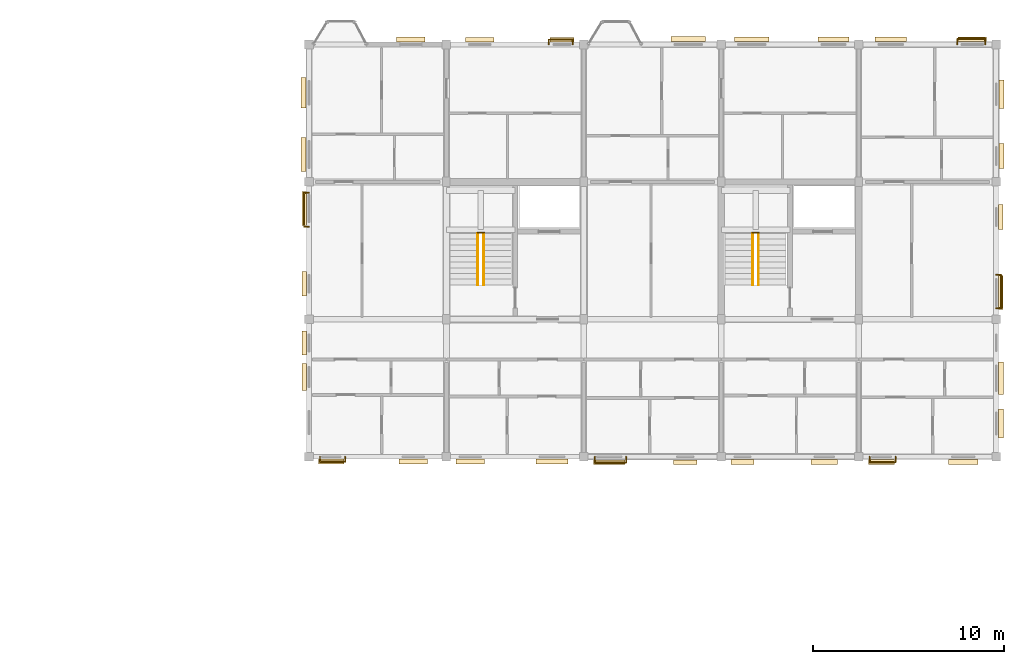
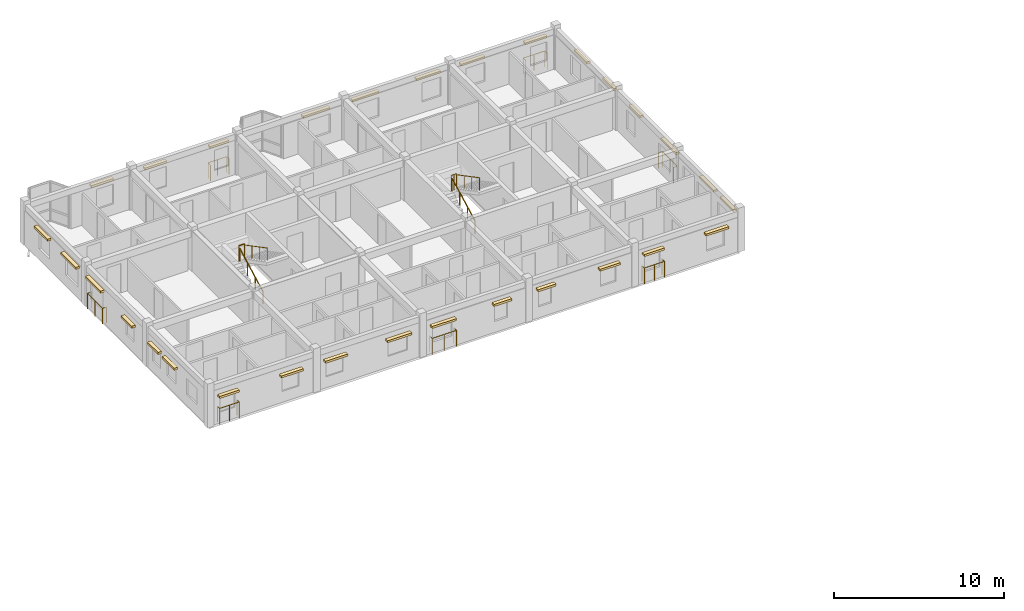
# One storey, part 28 of 28: 30 coverings, 13 railings.
"""IFC4 building model written with IfcOpenShell, lengths in metres."""

from ifc_helpers import new_model, si_unit, direction, frame, origin, origin_2d, place, context, subcontext, project, spatial, rectangle, circle, extrude, material, layer, layer_set, type_object, element, save


model = new_model("IFC4")

# Units and contexts
model_context = context("Model", 3, precision=1e-05, world=origin(), true_north=direction((0.0, 1.0)))
body_context = subcontext(model_context, "Body", "Model", "MODEL_VIEW")
ifc_project = project(units=[si_unit("LENGTHUNIT", "METRE"), si_unit("AREAUNIT", "SQUARE_METRE"), si_unit("VOLUMEUNIT", "CUBIC_METRE"), si_unit("PLANEANGLEUNIT", "RADIAN"), si_unit("MASSUNIT", "GRAM", prefix="KILO"), si_unit("THERMODYNAMICTEMPERATUREUNIT", "KELVIN"), si_unit("POWERUNIT", "WATT")], contexts=[model_context])

# Site, building, storey
site_placement = place(None, origin())
site = spatial("IfcSite", under=ifc_project, at=site_placement, CompositionType="ELEMENT")
building_placement = place(site_placement, origin())
building = spatial("IfcBuilding", under=site, at=building_placement, Name="Tavuni Mirador Residences", CompositionType="ELEMENT")
storey_placement = place(building_placement, frame((0.0, 0.0, 39.14990234375)))
storey = spatial("IfcBuildingStorey", under=building, at=storey_placement, Name="L12", CompositionType="ELEMENT", Elevation=39.14990234375)

# Coverings
ifc_material_1 = material(Name="Natural coral limestone", Category="masonry")
ifc_layer = layer(ifc_material_1, 0.054931640625, Name="Natural coral limestone", Category="masonry")
ifc_layer_set = layer_set([ifc_layer], Name="Natural coral limestone")
covering_type = type_object("IfcCoveringType", Name="CVT-CLAD-CORAL", PredefinedType="CLADDING", material=ifc_layer_set)
covering_1_placement = place(storey_placement, frame((19.175048828125, 150.950439453125, 1.955078125), z_axis=(0.0, 0.0, 1.0), x_axis=(1.0, 0.0, 0.0)))
element("IfcCovering", 1, at=covering_1_placement, inside=storey, type_object=covering_type, Name="HOOD-0800", PredefinedType="CLADDING", context=body_context, shape_type="SweptSolid", body=[
    extrude(rectangle(XDim=1.340087890625, YDim=0.25, at=origin_2d()), origin(), (0.0, 0.0, 1.0), 0.14990234375),
])
for number, where, z_axis, x_axis, name in (
    (2, (23.455078125, 150.950439453125, 1.955078125), (0.0, 0.0, 1.0), (1.0, 0.0, 0.0), "HOOD-0801"),
    (3, (26.455078125, 150.95556640625, 1.955078125), (0.0, 0.0, 1.0), (1.0, 0.0, 0.0), "HOOD-0802"),
):
    element("IfcCovering", number, at=place(storey_placement, frame(where, z_axis=z_axis, x_axis=x_axis)), inside=storey, type_object=covering_type, Name=name, PredefinedType="CLADDING", context=body_context, shape_type="SweptSolid", body=[
        extrude(rectangle(XDim=1.5, YDim=0.25, at=origin_2d()), origin(), (0.0, 0.0, 1.0), 0.14990234375),
    ])
for number, where, z_axis, x_axis, name in (
    (4, (30.735107421875, 150.95556640625, 1.955078125), (0.0, 0.0, 1.0), (1.0, 0.0, 0.0), "HOOD-0803"),
    (5, (33.735107421875, 150.9130859375, 1.955078125), (0.0, 0.0, 1.0), (1.0, 0.0, 0.0), "HOOD-0804"),
):
    element("IfcCovering", number, at=place(storey_placement, frame(where, z_axis=z_axis, x_axis=x_axis)), inside=storey, type_object=covering_type, Name=name, PredefinedType="CLADDING", context=body_context, shape_type="SweptSolid", body=[
        extrude(rectangle(XDim=1.659912109375, YDim=0.25, at=origin_2d()), origin(), (0.0, 0.0, 1.0), 0.14990234375),
    ])
for number, where, z_axis, x_axis, name in (
    (6, (37.715087890625, 150.9130859375, 2.065185546875), (0.0, 0.0, 1.0), (1.0, 0.0, 0.0), "HOOD-0805"),
    (7, (40.715087890625, 150.92041015625, 2.065185546875), (0.0, 0.0, 1.0), (1.0, 0.0, 0.0), "HOOD-0806"),
):
    element("IfcCovering", number, at=place(storey_placement, frame(where, z_axis=z_axis, x_axis=x_axis)), inside=storey, type_object=covering_type, Name=name, PredefinedType="CLADDING", context=body_context, shape_type="SweptSolid", body=[
        extrude(rectangle(XDim=1.219970703125, YDim=0.25, at=origin_2d()), origin(), (0.0, 0.0, 1.0), 0.14990234375),
    ])
for number, where, z_axis, x_axis, name in (
    (8, (44.9951171875, 150.92041015625, 2.065185546875), (0.0, 0.0, 1.0), (1.0, 0.0, 0.0), "HOOD-0807"),
    (9, (47.9951171875, 150.925537109375, 2.065185546875), (0.0, 0.0, 1.0), (1.0, 0.0, 0.0), "HOOD-0808"),
):
    element("IfcCovering", number, at=place(storey_placement, frame(where, z_axis=z_axis, x_axis=x_axis)), inside=storey, type_object=covering_type, Name=name, PredefinedType="CLADDING", context=body_context, shape_type="SweptSolid", body=[
        extrude(rectangle(XDim=1.3798828125, YDim=0.25, at=origin_2d()), origin(), (0.0, 0.0, 1.0), 0.14990234375),
    ])
for number, where, z_axis, x_axis, name in (
    (10, (52.27490234375, 150.925537109375, 2.065185546875), (0.0, 0.0, 1.0), (1.0, 0.0, 0.0), "HOOD-0809"),
    (11, (54.24951171875, 152.9423828125, 2.065185546875), (0.0, 0.0, 1.0), (0.0, 1.0, 0.0), "HOOD-0810"),
):
    element("IfcCovering", number, at=place(storey_placement, frame(where, z_axis=z_axis, x_axis=x_axis)), inside=storey, type_object=covering_type, Name=name, PredefinedType="CLADDING", context=body_context, shape_type="SweptSolid", body=[
        extrude(rectangle(XDim=1.5400390625, YDim=0.25, at=origin_2d()), origin(), (0.0, 0.0, 1.0), 0.14990234375),
    ])
covering_2_placement = place(storey_placement, frame((54.24951171875, 155.31005859375, 2.065185546875), z_axis=(0.0, 0.0, 1.0), x_axis=(0.0, 1.0, 0.0)))
element("IfcCovering", 12, at=covering_2_placement, inside=storey, type_object=covering_type, Name="HOOD-0811", PredefinedType="CLADDING", context=body_context, shape_type="SweptSolid", body=[
    extrude(rectangle(XDim=1.699951171875, YDim=0.25, at=origin_2d()), origin(), (0.0, 0.0, 1.0), 0.14990234375),
])
covering_3_placement = place(storey_placement, frame((54.244384765625, 159.794921875, 2.065185546875), z_axis=(0.0, 0.0, 1.0), x_axis=(0.0, 1.0, 0.0)))
element("IfcCovering", 13, at=covering_3_placement, inside=storey, type_object=covering_type, Name="HOOD-0812", PredefinedType="CLADDING", context=body_context, shape_type="SweptSolid", body=[
    extrude(rectangle(XDim=1.780029296875, YDim=0.25, at=origin_2d()), origin(), (0.0, 0.0, 1.0), 0.14990234375),
])
for number, where, z_axis, x_axis, name in (
    (14, (54.244384765625, 163.764892578125, 2.1650390625), (0.0, 0.0, 1.0), (0.0, 1.0, 0.0), "HOOD-0813"),
    (15, (54.287109375, 166.952392578125, 2.1650390625), (0.0, 0.0, 1.0), (0.0, 1.0, 0.0), "HOOD-0814"),
):
    element("IfcCovering", number, at=place(storey_placement, frame(where, z_axis=z_axis, x_axis=x_axis)), inside=storey, type_object=covering_type, Name=name, PredefinedType="CLADDING", context=body_context, shape_type="SweptSolid", body=[
        extrude(rectangle(XDim=1.320068359375, YDim=0.25, at=origin_2d()), origin(), (0.0, 0.0, 1.0), 0.14990234375),
    ])
for number, where, z_axis, x_axis, name in (
    (16, (54.287109375, 170.1875, 2.1650390625), (0.0, 0.0, 1.0), (0.0, 1.0, 0.0), "HOOD-0815"),
    (17, (52.7548828125, 173.074462890625, 2.1650390625), (0.0, 0.0, 1.0), (-1.0, 0.0, 0.0), "HOOD-0816"),
):
    element("IfcCovering", number, at=place(storey_placement, frame(where, z_axis=z_axis, x_axis=x_axis)), inside=storey, type_object=covering_type, Name=name, PredefinedType="CLADDING", context=body_context, shape_type="SweptSolid", body=[
        extrude(rectangle(XDim=1.47998046875, YDim=0.25, at=origin_2d()), origin(), (0.0, 0.0, 1.0), 0.14990234375),
    ])
for number, where, z_axis, x_axis, name in (
    (18, (48.47509765625, 173.074462890625, 2.1650390625), (0.0, 0.0, 1.0), (-1.0, 0.0, 0.0), "HOOD-0817"),
    (19, (45.47509765625, 173.07958984375, 2.1650390625), (0.0, 0.0, 1.0), (-1.0, 0.0, 0.0), "HOOD-0818"),
):
    element("IfcCovering", number, at=place(storey_placement, frame(where, z_axis=z_axis, x_axis=x_axis)), inside=storey, type_object=covering_type, Name=name, PredefinedType="CLADDING", context=body_context, shape_type="SweptSolid", body=[
        extrude(rectangle(XDim=1.639892578125, YDim=0.25, at=origin_2d()), origin(), (0.0, 0.0, 1.0), 0.14990234375),
    ])
covering_4_placement = place(storey_placement, frame((41.195068359375, 173.07958984375, 2.1650390625), z_axis=(0.0, 0.0, 1.0), x_axis=(-1.0, 0.0, 0.0)))
element("IfcCovering", 20, at=covering_4_placement, inside=storey, type_object=covering_type, Name="HOOD-0819", PredefinedType="CLADDING", context=body_context, shape_type="SweptSolid", body=[
    extrude(rectangle(XDim=1.800048828125, YDim=0.25, at=origin_2d()), origin(), (0.0, 0.0, 1.0), 0.14990234375),
])
covering_5_placement = place(storey_placement, frame((37.87255859375, 173.092041015625, 2.16015625), z_axis=(0.0, 0.0, 1.0), x_axis=(-1.0, 0.0, 0.0)))
element("IfcCovering", 21, at=covering_5_placement, inside=storey, type_object=covering_type, Name="HOOD-0820", PredefinedType="CLADDING", context=body_context, shape_type="SweptSolid", body=[
    extrude(rectangle(XDim=1.820068359375, YDim=0.260009765625, at=origin_2d()), origin(), (0.0, 0.0, 1.0), 0.159912109375),
])
covering_6_placement = place(storey_placement, frame((31.2548828125, 173.04443359375, 2.2451171875), z_axis=(0.0, 0.0, 1.0), x_axis=(-1.0, 0.0, 0.0)))
element("IfcCovering", 22, at=covering_6_placement, inside=storey, type_object=covering_type, Name="HOOD-0821", PredefinedType="CLADDING", context=body_context, shape_type="SweptSolid", body=[
    extrude(rectangle(XDim=1.280029296875, YDim=0.25, at=origin_2d()), origin(), (0.0, 0.0, 1.0), 0.14990234375),
])
covering_7_placement = place(storey_placement, frame((26.949951171875, 173.04443359375, 2.2451171875), z_axis=(0.0, 0.0, 1.0), x_axis=(-1.0, 0.0, 0.0)))
element("IfcCovering", 23, at=covering_7_placement, inside=storey, type_object=covering_type, Name="HOOD-0822", PredefinedType="CLADDING", context=body_context, shape_type="SweptSolid", body=[
    extrude(rectangle(XDim=1.489990234375, YDim=0.25, at=origin_2d()), origin(), (0.0, 0.0, 1.0), 0.14990234375),
])
covering_8_placement = place(storey_placement, frame((23.33251953125, 173.054443359375, 2.240234375), z_axis=(0.0, 0.0, 1.0), x_axis=(-1.0, 0.0, 0.0)))
element("IfcCovering", 24, at=covering_8_placement, inside=storey, type_object=covering_type, Name="HOOD-0823", PredefinedType="CLADDING", context=body_context, shape_type="SweptSolid", body=[
    extrude(rectangle(XDim=1.510009765625, YDim=0.260009765625, at=origin_2d()), origin(), (0.0, 0.0, 1.0), 0.159912109375),
])
covering_9_placement = place(storey_placement, frame((17.712890625, 170.267578125, 2.2451171875), z_axis=(0.0, 0.0, 1.0), x_axis=(0.0, -1.0, 0.0)))
element("IfcCovering", 25, at=covering_9_placement, inside=storey, type_object=covering_type, Name="HOOD-0824", PredefinedType="CLADDING", context=body_context, shape_type="SweptSolid", body=[
    extrude(rectangle(XDim=1.590087890625, YDim=0.25, at=origin_2d()), origin(), (0.0, 0.0, 1.0), 0.14990234375),
])
for number, where, z_axis, x_axis, name in (
    (26, (17.712890625, 167.032470703125, 2.2451171875), (0.0, 0.0, 1.0), (0.0, -1.0, 0.0), "HOOD-0825"),
    (27, (17.755615234375, 164.199951171875, 2.2451171875), (0.0, 0.0, 1.0), (0.0, -1.0, 0.0), "HOOD-0826"),
):
    element("IfcCovering", number, at=place(storey_placement, frame(where, z_axis=z_axis, x_axis=x_axis)), inside=storey, type_object=covering_type, Name=name, PredefinedType="CLADDING", context=body_context, shape_type="SweptSolid", body=[
        extrude(rectangle(XDim=1.7900390625, YDim=0.25, at=origin_2d()), origin(), (0.0, 0.0, 1.0), 0.14990234375),
    ])
for number, where, z_axis, x_axis, name in (
    (28, (17.755615234375, 160.264892578125, 1.955078125), (0.0, 0.0, 1.0), (0.0, -1.0, 0.0), "HOOD-0827"),
    (29, (17.75048828125, 157.16748046875, 1.955078125), (0.0, 0.0, 1.0), (0.0, -1.0, 0.0), "HOOD-0828"),
):
    element("IfcCovering", number, at=place(storey_placement, frame(where, z_axis=z_axis, x_axis=x_axis)), inside=storey, type_object=covering_type, Name=name, PredefinedType="CLADDING", context=body_context, shape_type="SweptSolid", body=[
        extrude(rectangle(XDim=1.260009765625, YDim=0.25, at=origin_2d()), origin(), (0.0, 0.0, 1.0), 0.14990234375),
    ])
covering_10_placement = place(storey_placement, frame((17.75048828125, 155.3701171875, 1.955078125), z_axis=(0.0, 0.0, 1.0), x_axis=(0.0, -1.0, 0.0)))
element("IfcCovering", 30, at=covering_10_placement, inside=storey, type_object=covering_type, Name="HOOD-0829", PredefinedType="CLADDING", context=body_context, shape_type="SweptSolid", body=[
    extrude(rectangle(XDim=1.419921875, YDim=0.25, at=origin_2d()), origin(), (0.0, 0.0, 1.0), 0.14990234375),
])

# Railings
ifc_material_2 = material(Name="Structural steel S355", Category="steel")
railing_type_1 = type_object("IfcRailingType", Name="RT-BL1150", PredefinedType="BALUSTRADE", material=ifc_material_2)
railing_1_placement = place(storey_placement, frame((18.574951171875, 151.199951171875, 0.0400390625)))
element("IfcRailing", 31, at=railing_1_placement, inside=storey, type_object=railing_type_1, Name="BALC-BLK-C-L12-S00", PredefinedType="BALUSTRADE", context=body_context, shape_type="SweptSolid", body=[
    extrude(circle(Radius=0.02392578125, at=origin_2d()), frame((0.0, 0.0, 1.1259765625), z_axis=(0.0, -1.0, 0.0), x_axis=(1.0, 0.0, 0.0)), (0.0, 0.0, 1.0), 0.267333984375),
    extrude(circle(Radius=0.02392578125, at=origin_2d()), frame((0.0, -0.267333984375, 1.1259765625), z_axis=(1.0, 0.0, 0.0), x_axis=(0.0, 1.0, 0.0)), (0.0, 0.0, 1.0), 1.320068359375),
    extrude(circle(Radius=0.02392578125, at=origin_2d()), frame((1.320068359375, -0.267333984375, 1.1259765625), z_axis=(0.0, 1.0, 0.0), x_axis=(-1.0, 0.0, 0.0)), (0.0, 0.0, 1.0), 0.267333984375),
    extrude(circle(Radius=0.02099609375, at=origin_2d()), origin(), (0.0, 0.0, 1.0), 1.101806640625),
    extrude(circle(Radius=0.02099609375, at=origin_2d()), frame((0.0, -0.267333984375, 0.0)), (0.0, 0.0, 1.0), 1.101806640625),
    extrude(circle(Radius=0.02099609375, at=origin_2d()), frame((0.66015625, -0.267333984375, 0.0)), (0.0, 0.0, 1.0), 1.101806640625),
    extrude(circle(Radius=0.02099609375, at=origin_2d()), frame((1.320068359375, -0.267333984375, 0.0)), (0.0, 0.0, 1.0), 1.101806640625),
    extrude(circle(Radius=0.02099609375, at=origin_2d()), frame((1.320068359375, 0.0, 0.0)), (0.0, 0.0, 1.0), 1.101806640625),
])
railing_2_placement = place(storey_placement, frame((32.97509765625, 151.199951171875, 0.0400390625)))
element("IfcRailing", 32, at=railing_2_placement, inside=storey, type_object=railing_type_1, Name="BALC-BLK-C-L12-S02", PredefinedType="BALUSTRADE", context=body_context, shape_type="SweptSolid", body=[
    extrude(circle(Radius=0.02392578125, at=origin_2d()), frame((0.0, 0.0, 1.1259765625), z_axis=(0.0, -1.0, 0.0), x_axis=(1.0, 0.0, 0.0)), (0.0, 0.0, 1.0), 0.304931640625),
    extrude(circle(Radius=0.02392578125, at=origin_2d()), frame((0.0, -0.304931640625, 1.1259765625), z_axis=(1.0, 0.0, 0.0), x_axis=(0.0, 1.0, 0.0)), (0.0, 0.0, 1.0), 1.639892578125),
    extrude(circle(Radius=0.02392578125, at=origin_2d()), frame((1.639892578125, -0.304931640625, 1.1259765625), z_axis=(0.0, 1.0, 0.0), x_axis=(-1.0, 0.0, 0.0)), (0.0, 0.0, 1.0), 0.304931640625),
    extrude(circle(Radius=0.02099609375, at=origin_2d()), origin(), (0.0, 0.0, 1.0), 1.101806640625),
    extrude(circle(Radius=0.02099609375, at=origin_2d()), frame((0.0, -0.304931640625, 0.0)), (0.0, 0.0, 1.0), 1.101806640625),
    extrude(circle(Radius=0.02099609375, at=origin_2d()), frame((0.81982421875, -0.304931640625, 0.0)), (0.0, 0.0, 1.0), 1.101806640625),
    extrude(circle(Radius=0.02099609375, at=origin_2d()), frame((1.639892578125, -0.304931640625, 0.0)), (0.0, 0.0, 1.0), 1.101806640625),
    extrude(circle(Radius=0.02099609375, at=origin_2d()), frame((1.639892578125, 0.0, 0.0)), (0.0, 0.0, 1.0), 1.101806640625),
])
railing_3_placement = place(storey_placement, frame((47.375, 151.199951171875, 0.0400390625)))
element("IfcRailing", 33, at=railing_3_placement, inside=storey, type_object=railing_type_1, Name="BALC-BLK-C-L12-S04", PredefinedType="BALUSTRADE", context=body_context, shape_type="SweptSolid", body=[
    extrude(circle(Radius=0.02392578125, at=origin_2d()), frame((0.0, 0.0, 1.1259765625), z_axis=(0.0, -1.0, 0.0), x_axis=(1.0, 0.0, 0.0)), (0.0, 0.0, 1.0), 0.29248046875),
    extrude(circle(Radius=0.02392578125, at=origin_2d()), frame((0.0, -0.29248046875, 1.1259765625), z_axis=(1.0, 0.0, 0.0), x_axis=(0.0, 1.0, 0.0)), (0.0, 0.0, 1.0), 1.360107421875),
    extrude(circle(Radius=0.02392578125, at=origin_2d()), frame((1.360107421875, -0.29248046875, 1.1259765625), z_axis=(0.0, 1.0, 0.0), x_axis=(-1.0, 0.0, 0.0)), (0.0, 0.0, 1.0), 0.29248046875),
    extrude(circle(Radius=0.02099609375, at=origin_2d()), origin(), (0.0, 0.0, 1.0), 1.101806640625),
    extrude(circle(Radius=0.02099609375, at=origin_2d()), frame((0.0, -0.29248046875, 0.0)), (0.0, 0.0, 1.0), 1.101806640625),
    extrude(circle(Radius=0.02099609375, at=origin_2d()), frame((0.68017578125, -0.29248046875, 0.0)), (0.0, 0.0, 1.0), 1.101806640625),
    extrude(circle(Radius=0.02099609375, at=origin_2d()), frame((1.360107421875, -0.29248046875, 0.0)), (0.0, 0.0, 1.0), 1.101806640625),
    extrude(circle(Radius=0.02099609375, at=origin_2d()), frame((1.360107421875, 0.0, 0.0)), (0.0, 0.0, 1.0), 1.101806640625),
])
railing_4_placement = place(storey_placement, frame((54.0, 158.97509765625, 0.0400390625)))
element("IfcRailing", 34, at=railing_4_placement, inside=storey, type_object=railing_type_1, Name="BALC-BLK-C-L12-E01", PredefinedType="BALUSTRADE", context=body_context, shape_type="SweptSolid", body=[
    extrude(circle(Radius=0.02392578125, at=origin_2d()), frame((0.0, 0.0, 1.1259765625), z_axis=(1.0, 0.0, 0.0), x_axis=(0.0, 1.0, 0.0)), (0.0, 0.0, 1.0), 0.262451171875),
    extrude(circle(Radius=0.02392578125, at=origin_2d()), frame((0.262451171875, 0.0, 1.1259765625), z_axis=(0.0, 1.0, 0.0), x_axis=(-1.0, 0.0, 0.0)), (0.0, 0.0, 1.0), 1.760009765625),
    extrude(circle(Radius=0.02392578125, at=origin_2d()), frame((0.262451171875, 1.760009765625, 1.1259765625), z_axis=(-1.0, 0.0, 0.0), x_axis=(0.0, -1.0, 0.0)), (0.0, 0.0, 1.0), 0.262451171875),
    extrude(circle(Radius=0.02099609375, at=origin_2d()), origin(), (0.0, 0.0, 1.0), 1.101806640625),
    extrude(circle(Radius=0.02099609375, at=origin_2d()), frame((0.262451171875, 0.0, 0.0)), (0.0, 0.0, 1.0), 1.101806640625),
    extrude(circle(Radius=0.02099609375, at=origin_2d()), frame((0.262451171875, 0.8798828125, 0.0)), (0.0, 0.0, 1.0), 1.101806640625),
    extrude(circle(Radius=0.02099609375, at=origin_2d()), frame((0.262451171875, 1.760009765625, 0.0)), (0.0, 0.0, 1.0), 1.101806640625),
    extrude(circle(Radius=0.02099609375, at=origin_2d()), frame((0.0, 1.760009765625, 0.0)), (0.0, 0.0, 1.0), 1.101806640625),
])
railing_5_placement = place(storey_placement, frame((53.425048828125, 172.800048828125, 0.0400390625)))
element("IfcRailing", 35, at=railing_5_placement, inside=storey, type_object=railing_type_1, Name="BALC-BLK-C-L12-N04", PredefinedType="BALUSTRADE", context=body_context, shape_type="SweptSolid", body=[
    extrude(circle(Radius=0.02392578125, at=origin_2d()), frame((0.0, 0.0, 1.1259765625), z_axis=(0.0, 1.0, 0.0), x_axis=(-1.0, 0.0, 0.0)), (0.0, 0.0, 1.0), 0.29248046875),
    extrude(circle(Radius=0.02392578125, at=origin_2d()), frame((0.0, 0.29248046875, 1.1259765625), z_axis=(-1.0, 0.0, 0.0), x_axis=(0.0, -1.0, 0.0)), (0.0, 0.0, 1.0), 1.4599609375),
    extrude(circle(Radius=0.02392578125, at=origin_2d()), frame((-1.4599609375, 0.29248046875, 1.1259765625), z_axis=(0.0, -1.0, 0.0), x_axis=(1.0, 0.0, 0.0)), (0.0, 0.0, 1.0), 0.29248046875),
    extrude(circle(Radius=0.02099609375, at=origin_2d()), origin(), (0.0, 0.0, 1.0), 1.101806640625),
    extrude(circle(Radius=0.02099609375, at=origin_2d()), frame((0.0, 0.29248046875, 0.0)), (0.0, 0.0, 1.0), 1.101806640625),
    extrude(circle(Radius=0.02099609375, at=origin_2d()), frame((-0.72998046875, 0.29248046875, 0.0)), (0.0, 0.0, 1.0), 1.101806640625),
    extrude(circle(Radius=0.02099609375, at=origin_2d()), frame((-1.4599609375, 0.29248046875, 0.0)), (0.0, 0.0, 1.0), 1.101806640625),
    extrude(circle(Radius=0.02099609375, at=origin_2d()), frame((-1.4599609375, 0.0, 0.0)), (0.0, 0.0, 1.0), 1.101806640625),
])
railing_6_placement = place(storey_placement, frame((31.824951171875, 172.800048828125, 0.0400390625)))
element("IfcRailing", 36, at=railing_6_placement, inside=storey, type_object=railing_type_1, Name="BALC-BLK-C-L12-N01", PredefinedType="BALUSTRADE", context=body_context, shape_type="SweptSolid", body=[
    extrude(circle(Radius=0.02392578125, at=origin_2d()), frame((0.0, 0.0, 1.1259765625), z_axis=(0.0, 1.0, 0.0), x_axis=(-1.0, 0.0, 0.0)), (0.0, 0.0, 1.0), 0.262451171875),
    extrude(circle(Radius=0.02392578125, at=origin_2d()), frame((0.0, 0.262451171875, 1.1259765625), z_axis=(-1.0, 0.0, 0.0), x_axis=(0.0, -1.0, 0.0)), (0.0, 0.0, 1.0), 1.260009765625),
    extrude(circle(Radius=0.02392578125, at=origin_2d()), frame((-1.260009765625, 0.262451171875, 1.1259765625), z_axis=(0.0, -1.0, 0.0), x_axis=(1.0, 0.0, 0.0)), (0.0, 0.0, 1.0), 0.262451171875),
    extrude(circle(Radius=0.02099609375, at=origin_2d()), origin(), (0.0, 0.0, 1.0), 1.101806640625),
    extrude(circle(Radius=0.02099609375, at=origin_2d()), frame((0.0, 0.262451171875, 0.0)), (0.0, 0.0, 1.0), 1.101806640625),
    extrude(circle(Radius=0.02099609375, at=origin_2d()), frame((-0.6298828125, 0.262451171875, 0.0)), (0.0, 0.0, 1.0), 1.101806640625),
    extrude(circle(Radius=0.02099609375, at=origin_2d()), frame((-1.260009765625, 0.262451171875, 0.0)), (0.0, 0.0, 1.0), 1.101806640625),
    extrude(circle(Radius=0.02099609375, at=origin_2d()), frame((-1.260009765625, 0.0, 0.0)), (0.0, 0.0, 1.0), 1.101806640625),
])
railing_7_placement = place(storey_placement, frame((18.0, 165.02490234375, 0.0400390625)))
element("IfcRailing", 37, at=railing_7_placement, inside=storey, type_object=railing_type_1, Name="BALC-BLK-C-L12-W01", PredefinedType="BALUSTRADE", context=body_context, shape_type="SweptSolid", body=[
    extrude(circle(Radius=0.02392578125, at=origin_2d()), frame((0.0, 0.0, 1.1259765625), z_axis=(-1.0, 0.0, 0.0), x_axis=(0.0, -1.0, 0.0)), (0.0, 0.0, 1.0), 0.262451171875),
    extrude(circle(Radius=0.02392578125, at=origin_2d()), frame((-0.262451171875, 0.0, 1.1259765625), z_axis=(0.0, -1.0, 0.0), x_axis=(1.0, 0.0, 0.0)), (0.0, 0.0, 1.0), 1.77001953125),
    extrude(circle(Radius=0.02392578125, at=origin_2d()), frame((-0.262451171875, -1.77001953125, 1.1259765625), z_axis=(1.0, 0.0, 0.0), x_axis=(0.0, 1.0, 0.0)), (0.0, 0.0, 1.0), 0.262451171875),
    extrude(circle(Radius=0.02099609375, at=origin_2d()), origin(), (0.0, 0.0, 1.0), 1.101806640625),
    extrude(circle(Radius=0.02099609375, at=origin_2d()), frame((-0.262451171875, 0.0, 0.0)), (0.0, 0.0, 1.0), 1.101806640625),
    extrude(circle(Radius=0.02099609375, at=origin_2d()), frame((-0.262451171875, -0.885009765625, 0.0)), (0.0, 0.0, 1.0), 1.101806640625),
    extrude(circle(Radius=0.02099609375, at=origin_2d()), frame((-0.262451171875, -1.77001953125, 0.0)), (0.0, 0.0, 1.0), 1.101806640625),
    extrude(circle(Radius=0.02099609375, at=origin_2d()), frame((0.0, -1.77001953125, 0.0)), (0.0, 0.0, 1.0), 1.101806640625),
])
railing_type_2 = type_object("IfcRailingType", Name="RT-GR1120", PredefinedType="GUARDRAIL", material=ifc_material_2)
railing_8_placement = place(storey_placement, frame((26.820068359375, 162.93994140625, 1.5751953125)))
element("IfcRailing", 38, at=railing_8_placement, inside=storey, type_object=railing_type_2, Name="GRD-HL-ST5-L12", PredefinedType="GUARDRAIL", context=body_context, shape_type="SweptSolid", body=[
    extrude(circle(Radius=0.02392578125, at=origin_2d()), frame((0.0, 0.0, 1.09619140625), z_axis=(1.0, 0.0, 0.0), x_axis=(0.0, 1.0, 0.0)), (0.0, 0.0, 1.0), 0.35986328125),
    extrude(circle(Radius=0.02099609375, at=origin_2d()), origin(), (0.0, 0.0, 1.0), 1.072021484375),
    extrude(circle(Radius=0.02099609375, at=origin_2d()), frame((0.35986328125, 0.0, 0.0)), (0.0, 0.0, 1.0), 1.072021484375),
])
railing_9_placement = place(storey_placement, frame((41.219970703125, 162.93994140625, 1.5751953125)))
element("IfcRailing", 39, at=railing_9_placement, inside=storey, type_object=railing_type_2, Name="GRD-HL-ST6-L12", PredefinedType="GUARDRAIL", context=body_context, shape_type="SweptSolid", body=[
    extrude(circle(Radius=0.02392578125, at=origin_2d()), frame((0.0, 0.0, 1.09619140625), z_axis=(1.0, 0.0, 0.0), x_axis=(0.0, 1.0, 0.0)), (0.0, 0.0, 1.0), 0.360107421875),
    extrude(circle(Radius=0.02099609375, at=origin_2d()), origin(), (0.0, 0.0, 1.0), 1.072021484375),
    extrude(circle(Radius=0.02099609375, at=origin_2d()), frame((0.18017578125, 0.0, 0.0)), (0.0, 0.0, 1.0), 1.072021484375),
    extrude(circle(Radius=0.02099609375, at=origin_2d()), frame((0.360107421875, 0.0, 0.0)), (0.0, 0.0, 1.0), 1.072021484375),
])
railing_type_3 = type_object("IfcRailingType", Name="RT-HR920", PredefinedType="HANDRAIL", material=ifc_material_2)
railing_10_placement = place(storey_placement, frame((26.85009765625, 160.199951171875, 0.15771484375)))
element("IfcRailing", 40, at=railing_10_placement, inside=storey, type_object=railing_type_3, Name="HR-ST5-L12-F1", PredefinedType="HANDRAIL", context=body_context, shape_type="SweptSolid", body=[
    extrude(circle(Radius=0.02392578125, at=origin_2d()), frame((0.0, 0.0, 0.89599609375), z_axis=(0.0, 0.885397079081, 0.464835468048), x_axis=(-1.0, 0.0, 0.0)), (0.0, 0.0, 1.0), 3.04931640625),
    extrude(circle(Radius=0.02099609375, at=origin_2d()), origin(), (0.0, 0.0, 1.0), 0.871826171875),
    extrude(circle(Radius=0.02099609375, at=origin_2d()), frame((0.0, 0.89990234375, 0.472412109375)), (0.0, 0.0, 1.0), 0.871826171875),
    extrude(circle(Radius=0.02099609375, at=origin_2d()), frame((0.0, 1.800048828125, 0.945068359375)), (0.0, 0.0, 1.0), 0.871826171875),
    extrude(circle(Radius=0.02099609375, at=origin_2d()), frame((0.0, 2.699951171875, 1.41748046875)), (0.0, 0.0, 1.0), 0.871826171875),
])
railing_11_placement = place(storey_placement, frame((27.14990234375, 162.89990234375, 1.732666015625)))
element("IfcRailing", 41, at=railing_11_placement, inside=storey, type_object=railing_type_3, Name="HR-ST5-L12-F2", PredefinedType="HANDRAIL", context=body_context, shape_type="SweptSolid", body=[
    extrude(circle(Radius=0.02392578125, at=origin_2d()), frame((0.0, 0.0, 0.89599609375), z_axis=(0.0, -0.885397079081, 0.464835468048), x_axis=(1.0, 0.0, 0.0)), (0.0, 0.0, 1.0), 3.04931640625),
    extrude(circle(Radius=0.02099609375, at=origin_2d()), origin(), (0.0, 0.0, 1.0), 0.871826171875),
    extrude(circle(Radius=0.02099609375, at=origin_2d()), frame((0.0, -0.89990234375, 0.472412109375)), (0.0, 0.0, 1.0), 0.871826171875),
    extrude(circle(Radius=0.02099609375, at=origin_2d()), frame((0.0, -1.800048828125, 0.945068359375)), (0.0, 0.0, 1.0), 0.871826171875),
    extrude(circle(Radius=0.02099609375, at=origin_2d()), frame((0.0, -2.699951171875, 1.41748046875)), (0.0, 0.0, 1.0), 0.871826171875),
])
railing_12_placement = place(storey_placement, frame((41.25, 160.199951171875, 0.15771484375)))
element("IfcRailing", 42, at=railing_12_placement, inside=storey, type_object=railing_type_3, Name="HR-ST6-L12-F1", PredefinedType="HANDRAIL", context=body_context, shape_type="SweptSolid", body=[
    extrude(circle(Radius=0.02392578125, at=origin_2d()), frame((0.0, 0.0, 0.89599609375), z_axis=(0.0, 0.885397079081, 0.464835468048), x_axis=(-1.0, 0.0, 0.0)), (0.0, 0.0, 1.0), 3.04931640625),
    extrude(circle(Radius=0.02099609375, at=origin_2d()), origin(), (0.0, 0.0, 1.0), 0.871826171875),
    extrude(circle(Radius=0.02099609375, at=origin_2d()), frame((0.0, 0.89990234375, 0.472412109375)), (0.0, 0.0, 1.0), 0.871826171875),
    extrude(circle(Radius=0.02099609375, at=origin_2d()), frame((0.0, 1.800048828125, 0.945068359375)), (0.0, 0.0, 1.0), 0.871826171875),
    extrude(circle(Radius=0.02099609375, at=origin_2d()), frame((0.0, 2.699951171875, 1.41748046875)), (0.0, 0.0, 1.0), 0.871826171875),
])
railing_13_placement = place(storey_placement, frame((41.550048828125, 162.89990234375, 1.732666015625)))
element("IfcRailing", 43, at=railing_13_placement, inside=storey, type_object=railing_type_3, Name="HR-ST6-L12-F2", PredefinedType="HANDRAIL", context=body_context, shape_type="SweptSolid", body=[
    extrude(circle(Radius=0.02392578125, at=origin_2d()), frame((0.0, 0.0, 0.89599609375), z_axis=(0.0, -0.885397079081, 0.464835468048), x_axis=(1.0, 0.0, 0.0)), (0.0, 0.0, 1.0), 3.04931640625),
    extrude(circle(Radius=0.02099609375, at=origin_2d()), origin(), (0.0, 0.0, 1.0), 0.871826171875),
    extrude(circle(Radius=0.02099609375, at=origin_2d()), frame((0.0, -0.89990234375, 0.472412109375)), (0.0, 0.0, 1.0), 0.871826171875),
    extrude(circle(Radius=0.02099609375, at=origin_2d()), frame((0.0, -1.800048828125, 0.945068359375)), (0.0, 0.0, 1.0), 0.871826171875),
    extrude(circle(Radius=0.02099609375, at=origin_2d()), frame((0.0, -2.699951171875, 1.41748046875)), (0.0, 0.0, 1.0), 0.871826171875),
])

save(model, "model.ifc")
